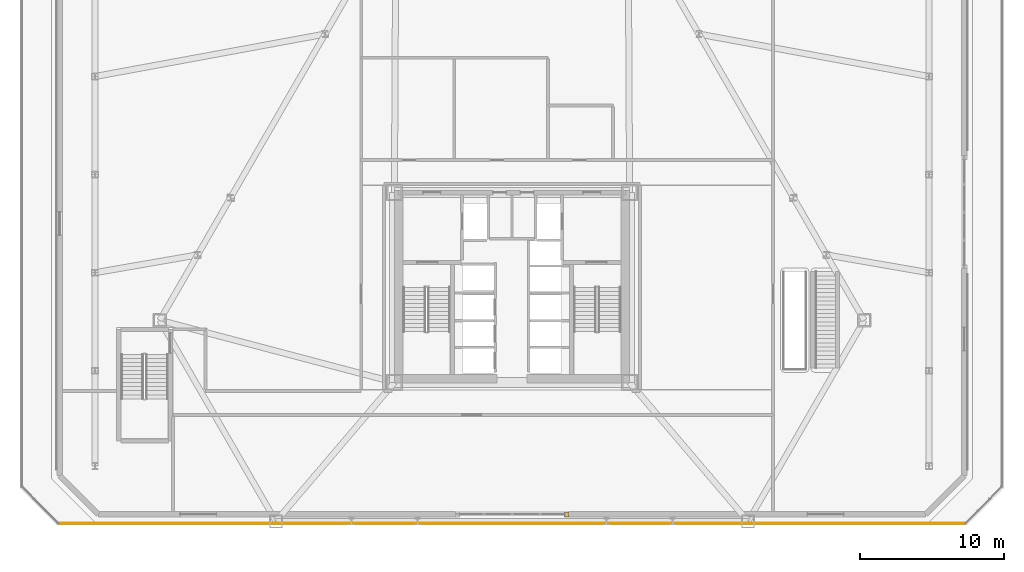
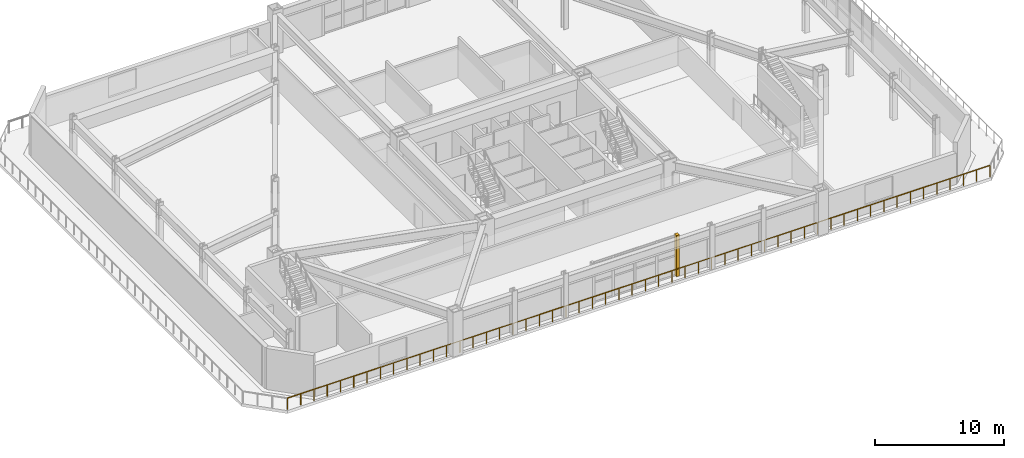
# One storey, part 19 of 22: 1 covering, 1 railing.
"""IFC4 building model written with IfcOpenShell, lengths in metres."""

import ifcopenshell
import ifcopenshell.guid

model = None  # the IFC model being written
_history = None  # IfcOwnerHistory: only IFC2X3 demands one
_inside = {}  # id of a spatial element -> (the spatial element, [elements in it])
_under = {}  # id of a project, library or spatial element -> (it, [spatial elements below it])
_declared = {}  # id of a project -> (the project, [libraries it declares])
_typed = {}  # id of a type object -> (the type object, [elements of that type])
_made_of = {}  # id of a material, layer set ... -> (it, [elements and type objects made of it])


def new_model(schema):
    """Start an empty IFC model of exactly this schema.

    Asked for "IFC4X3", IfcOpenShell would pick the latest addendum, in which some entities
    have other attributes; the version numbers below select the first issue.
    IFC2X3 requires an IfcOwnerHistory on every rooted entity: one is made here for all.
    """
    global model, _history
    if schema == "IFC4X3":
        model = ifcopenshell.file(schema_version=(4, 3, 0, 0))
    else:
        model = ifcopenshell.file(schema=schema)
    _inside.clear()
    _under.clear()
    _declared.clear()
    _typed.clear()
    _made_of.clear()
    _history = None
    if model.schema == "IFC2X3":
        org = make("IfcOrganization", Name="unknown")
        user = make(
            "IfcPersonAndOrganization",
            ThePerson=make("IfcPerson", FamilyName="unknown"),
            TheOrganization=org,
        )
        app = make(
            "IfcApplication",
            ApplicationDeveloper=org,
            Version="unknown",
            ApplicationFullName="unknown",
            ApplicationIdentifier="unknown",
        )
        _history = make(
            "IfcOwnerHistory",
            OwningUser=user,
            OwningApplication=app,
            ChangeAction="ADDED",
            CreationDate=0,
        )
    return model


def make(cls, **values):
    """One entity of the class cls with the attributes given. An attribute that is None is left unset."""
    return model.create_entity(
        cls, **{name: value for name, value in values.items() if value is not None}
    )


def rooted(cls, **values):
    """An entity with a GlobalId (a new one), such as an element, a storey or a relation."""
    return make(cls, GlobalId=ifcopenshell.guid.new(), OwnerHistory=_history, **values)


def si_unit(unit_type, name, prefix=None):
    """IfcSIUnit, for example si_unit("LENGTHUNIT", "METRE", prefix="MILLI")."""
    return make("IfcSIUnit", UnitType=unit_type, Prefix=prefix, Name=name)


def assignment(units):
    """IfcUnitAssignment: the units of a project."""
    return None if units is None else make("IfcUnitAssignment", Units=units)


def point(xyz):
    """IfcCartesianPoint."""
    return None if xyz is None else make("IfcCartesianPoint", Coordinates=xyz)


def direction(xyz):
    """IfcDirection."""
    return None if xyz is None else make("IfcDirection", DirectionRatios=xyz)


def frame(location, z_axis=None, x_axis=None):
    """IfcAxis2Placement3D, a coordinate frame: its origin and axes. An axis left out is left unset."""
    return make(
        "IfcAxis2Placement3D",
        Location=point(location),
        Axis=direction(z_axis),
        RefDirection=direction(x_axis),
    )


def frame_2d(location, x_axis=None):
    """IfcAxis2Placement2D, a coordinate frame in the plane: its origin and x axis."""
    return make(
        "IfcAxis2Placement2D", Location=point(location), RefDirection=direction(x_axis)
    )


def origin():
    """The frame at (0, 0, 0) with its axes left unset."""
    return frame((0.0, 0.0, 0.0))


def origin_2d():
    """The frame at (0, 0) in the plane with its x axis left unset."""
    return frame_2d((0.0, 0.0))


def place(relative_to, where):
    """IfcLocalPlacement: puts the frame where relative to a parent placement (None: the world)."""
    return make(
        "IfcLocalPlacement", PlacementRelTo=relative_to, RelativePlacement=where
    )


def context(
    kind, dimensions, precision=None, world=None, true_north=None, identifier=None
):
    """IfcGeometricRepresentationContext, for example the 3D "Model" context."""
    return make(
        "IfcGeometricRepresentationContext",
        ContextIdentifier=identifier,
        ContextType=kind,
        CoordinateSpaceDimension=dimensions,
        Precision=precision,
        WorldCoordinateSystem=world,
        TrueNorth=true_north,
    )


def subcontext(parent, identifier, kind, view, scale=None):
    """IfcGeometricRepresentationSubContext, for example "Body" below "Model"."""
    return make(
        "IfcGeometricRepresentationSubContext",
        ContextIdentifier=identifier,
        ContextType=kind,
        ParentContext=parent,
        TargetScale=scale,
        TargetView=view,
    )


def project(units=None, contexts=None):
    """IfcProject with its units and contexts."""
    return rooted(
        "IfcProject",
        Name="project",
        RepresentationContexts=contexts,
        UnitsInContext=assignment(units),
    )


def spatial(cls, under=None, at=None, **own):
    """A site, building, storey or space (cls), placed at a placement, below another one or the project."""
    s = rooted(cls, ObjectPlacement=at, **own)
    if under is not None:
        _under.setdefault(under.id(), (under, []))[1].append(s)
    return s


def profile(cls, at=None, kind="AREA", **sizes):
    """A parametric profile (cls). Its sizes go by their IFC names, for example OverallWidth=200.0."""
    return make(cls, ProfileType=kind, Position=at, **sizes)


def rectangle(**sizes):
    """IfcRectangleProfileDef."""
    return profile("IfcRectangleProfileDef", **sizes)


def circle(**sizes):
    """IfcCircleProfileDef."""
    return profile("IfcCircleProfileDef", **sizes)


def extrude(swept, where, along, depth):
    """IfcExtrudedAreaSolid: the profile swept, set in the frame where, extruded along a direction by depth."""
    return make(
        "IfcExtrudedAreaSolid",
        SweptArea=swept,
        Position=where,
        ExtrudedDirection=direction(along),
        Depth=depth,
    )


def shape(context_of_items, identifier, shape_type, items):
    """IfcShapeRepresentation: the items that make up one representation, for example the "Body"."""
    return make(
        "IfcShapeRepresentation",
        ContextOfItems=context_of_items,
        RepresentationIdentifier=identifier,
        RepresentationType=shape_type,
        Items=items,
    )


def material(Name=None, Category=None):
    """IfcMaterial."""
    return make("IfcMaterial", Name=Name, Category=Category)


def layer(
    of_material, thickness, ventilated=None, Name=None, Category=None, Priority=None
):
    """IfcMaterialLayer: one layer of a wall or slab, of a material (None: an air gap)."""
    return make(
        "IfcMaterialLayer",
        Material=of_material,
        LayerThickness=thickness,
        IsVentilated=ventilated,
        Name=Name,
        Category=Category,
        Priority=Priority,
    )


def layer_set(layers, Name=None):
    """IfcMaterialLayerSet."""
    return make("IfcMaterialLayerSet", MaterialLayers=layers, LayerSetName=Name)


def made_of(thing, what):
    """Note that an element or type object is made of a material, layer set ...; save() writes the relation."""
    if what is not None:
        _made_of.setdefault(what.id(), (what, []))[1].append(thing)
    return thing


def type_object(cls, material=None, **own):
    """A type object (cls), such as IfcWallType, which elements share."""
    return made_of(rooted(cls, **own), material)


def element(
    cls,
    number,
    at=None,
    inside=None,
    cuts=None,
    type_object=None,
    material=None,
    context=None,
    identifier="Body",
    shape_type=None,
    held_by="IfcProductDefinitionShape",
    body=None,
    shapes=None,
    **own,
):
    """One element of the class cls, such as IfcWall. Its Tag is "e" and its number.

    at: its placement. inside: the storey or other place that contains it. cuts: it is an
    opening in that element (IfcRelVoidsElement). A single representation is given by context,
    identifier, shape_type and body (its items); several are given by shapes. held_by: the class
    of the entity that holds the representations. save() writes the other relations.
    """
    e = rooted(cls, Tag="e%d" % number, ObjectPlacement=at, **own)
    if body is not None:
        shapes = [shape(context, identifier, shape_type, body)]
    if shapes is not None:
        e.Representation = make(held_by, Representations=shapes)
    if inside is not None:
        _inside.setdefault(inside.id(), (inside, []))[1].append(e)
    if cuts is not None:
        rooted(
            "IfcRelVoidsElement", RelatingBuildingElement=cuts, RelatedOpeningElement=e
        )
    if type_object is not None:
        _typed.setdefault(type_object.id(), (type_object, []))[1].append(e)
    return made_of(e, material)


def aggregate(whole, parts):
    """IfcRelAggregates: a whole, such as a stair, and the parts it consists of."""
    return rooted("IfcRelAggregates", RelatingObject=whole, RelatedObjects=parts)


def save(model, path):
    """Write the relations noted so far, then the file.

    IfcRelAggregates (storeys below a building ...), IfcRelContainedInSpatialStructure (elements
    in a storey), IfcRelDefinesByType, IfcRelAssociatesMaterial and IfcRelDeclares: one each for
    every whole, place, type object, material and project.
    """
    for whole, parts in _under.values():
        aggregate(whole, parts)
    for where, things in _inside.values():
        rooted(
            "IfcRelContainedInSpatialStructure",
            RelatedElements=things,
            RelatingStructure=where,
        )
    for kind, things in _typed.values():
        rooted("IfcRelDefinesByType", RelatedObjects=things, RelatingType=kind)
    for what, things in _made_of.values():
        rooted("IfcRelAssociatesMaterial", RelatedObjects=things, RelatingMaterial=what)
    for by, libraries in _declared.values():
        rooted("IfcRelDeclares", RelatingContext=by, RelatedDefinitions=libraries)
    model.write(path)


model = new_model("IFC4")

# Units and contexts
model_context = context("Model", 3, precision=1e-05, world=origin(), true_north=direction((0.0, 1.0)))
body_context = subcontext(model_context, "Body", "Model", "MODEL_VIEW")
ifc_project = project(units=[si_unit("LENGTHUNIT", "METRE"), si_unit("AREAUNIT", "SQUARE_METRE"), si_unit("VOLUMEUNIT", "CUBIC_METRE"), si_unit("PLANEANGLEUNIT", "RADIAN"), si_unit("MASSUNIT", "GRAM", prefix="KILO")], contexts=[model_context])

# Site, building, storey
site_placement = place(None, origin())
site = spatial("IfcSite", under=ifc_project, at=site_placement, CompositionType="ELEMENT")
building_placement = place(site_placement, origin())
building = spatial("IfcBuilding", under=site, at=building_placement, Name="Oramaril Tower", CompositionType="ELEMENT")
storey_placement = place(building_placement, frame((0.0, 0.0, 18.300048828125)))
storey = spatial("IfcBuildingStorey", under=building, at=storey_placement, Name="L04", CompositionType="ELEMENT", Elevation=18.300048828125)

# Covering
ifc_material_1 = material(Name="Warm Cream Limestone", Category="masonry")
ifc_layer = layer(ifc_material_1, 0.050048828125)
ifc_layer_set = layer_set([ifc_layer], Name="CVT-CLD")
covering_type = type_object("IfcCoveringType", Name="CVT-CLD", PredefinedType="CLADDING", material=ifc_layer_set)
covering_placement = place(storey_placement, frame((41.280029296875, 1.85009765625, 0.0), z_axis=(0.0, 0.0, 1.0), x_axis=(1.0, 0.0, 0.0)))
element("IfcCovering", 1, at=covering_placement, inside=storey, type_object=covering_type, Name="L04 Curtain Wall Limestone Jamb Closure", PredefinedType="CLADDING", context=body_context, shape_type="SweptSolid", body=[
    extrude(rectangle(XDim=0.260009765625, YDim=0.340087890625, at=origin_2d()), origin(), (0.0, 0.0, 1.0), 3.8798828125),
])

# Railing
ifc_material_2 = material(Name="Stainless Steel 316L", Category="steel")
railing_type = type_object("IfcRailingType", Name="RLT-GRD", PredefinedType="GUARDRAIL", material=ifc_material_2)
railing_placement = place(storey_placement, frame((6.087890625, 1.239990234375, 0.0)))
element("IfcRailing", 2, at=railing_placement, inside=storey, type_object=railing_type, Name="L04 Podium Terrace Guardrail 01", PredefinedType="GUARDRAIL", context=body_context, shape_type="SweptSolid", body=[
    extrude(circle(Radius=0.02392578125, at=origin_2d()), frame((0.0, 0.0, 1.076171875), z_axis=(1.0, 0.0, 0.0), x_axis=(0.0, 1.0, 0.0)), (0.0, 0.0, 1.0), 62.82421875),
    extrude(circle(Radius=0.02099609375, at=origin_2d()), origin(), (0.0, 0.0, 1.0), 1.052001953125),
    extrude(circle(Radius=0.02099609375, at=origin_2d()), frame((1.185302734375, 0.0, 0.0)), (0.0, 0.0, 1.0), 1.052001953125),
    extrude(circle(Radius=0.02099609375, at=origin_2d()), frame((2.37060546875, 0.0, 0.0)), (0.0, 0.0, 1.0), 1.052001953125),
    extrude(circle(Radius=0.02099609375, at=origin_2d()), frame((3.55615234375, 0.0, 0.0)), (0.0, 0.0, 1.0), 1.052001953125),
    extrude(circle(Radius=0.02099609375, at=origin_2d()), frame((4.741455078125, 0.0, 0.0)), (0.0, 0.0, 1.0), 1.052001953125),
    extrude(circle(Radius=0.02099609375, at=origin_2d()), frame((5.9267578125, 0.0, 0.0)), (0.0, 0.0, 1.0), 1.052001953125),
    extrude(circle(Radius=0.02099609375, at=origin_2d()), frame((7.112060546875, 0.0, 0.0)), (0.0, 0.0, 1.0), 1.052001953125),
    extrude(circle(Radius=0.02099609375, at=origin_2d()), frame((8.297607421875, 0.0, 0.0)), (0.0, 0.0, 1.0), 1.052001953125),
    extrude(circle(Radius=0.02099609375, at=origin_2d()), frame((9.48291015625, 0.0, 0.0)), (0.0, 0.0, 1.0), 1.052001953125),
    extrude(circle(Radius=0.02099609375, at=origin_2d()), frame((10.668212890625, 0.0, 0.0)), (0.0, 0.0, 1.0), 1.052001953125),
    extrude(circle(Radius=0.02099609375, at=origin_2d()), frame((11.853515625, 0.0, 0.0)), (0.0, 0.0, 1.0), 1.052001953125),
    extrude(circle(Radius=0.02099609375, at=origin_2d()), frame((13.0390625, 0.0, 0.0)), (0.0, 0.0, 1.0), 1.052001953125),
    extrude(circle(Radius=0.02099609375, at=origin_2d()), frame((14.224365234375, 0.0, 0.0)), (0.0, 0.0, 1.0), 1.052001953125),
    extrude(circle(Radius=0.02099609375, at=origin_2d()), frame((15.40966796875, 0.0, 0.0)), (0.0, 0.0, 1.0), 1.052001953125),
    extrude(circle(Radius=0.02099609375, at=origin_2d()), frame((16.594970703125, 0.0, 0.0)), (0.0, 0.0, 1.0), 1.052001953125),
    extrude(circle(Radius=0.02099609375, at=origin_2d()), frame((17.780517578125, 0.0, 0.0)), (0.0, 0.0, 1.0), 1.052001953125),
    extrude(circle(Radius=0.02099609375, at=origin_2d()), frame((18.9658203125, 0.0, 0.0)), (0.0, 0.0, 1.0), 1.052001953125),
    extrude(circle(Radius=0.02099609375, at=origin_2d()), frame((20.151123046875, 0.0, 0.0)), (0.0, 0.0, 1.0), 1.052001953125),
    extrude(circle(Radius=0.02099609375, at=origin_2d()), frame((21.33642578125, 0.0, 0.0)), (0.0, 0.0, 1.0), 1.052001953125),
    extrude(circle(Radius=0.02099609375, at=origin_2d()), frame((22.52197265625, 0.0, 0.0)), (0.0, 0.0, 1.0), 1.052001953125),
    extrude(circle(Radius=0.02099609375, at=origin_2d()), frame((23.707275390625, 0.0, 0.0)), (0.0, 0.0, 1.0), 1.052001953125),
    extrude(circle(Radius=0.02099609375, at=origin_2d()), frame((24.892578125, 0.0, 0.0)), (0.0, 0.0, 1.0), 1.052001953125),
    extrude(circle(Radius=0.02099609375, at=origin_2d()), frame((26.077880859375, 0.0, 0.0)), (0.0, 0.0, 1.0), 1.052001953125),
    extrude(circle(Radius=0.02099609375, at=origin_2d()), frame((27.263427734375, 0.0, 0.0)), (0.0, 0.0, 1.0), 1.052001953125),
    extrude(circle(Radius=0.02099609375, at=origin_2d()), frame((28.44873046875, 0.0, 0.0)), (0.0, 0.0, 1.0), 1.052001953125),
    extrude(circle(Radius=0.02099609375, at=origin_2d()), frame((29.634033203125, 0.0, 0.0)), (0.0, 0.0, 1.0), 1.052001953125),
    extrude(circle(Radius=0.02099609375, at=origin_2d()), frame((30.8193359375, 0.0, 0.0)), (0.0, 0.0, 1.0), 1.052001953125),
    extrude(circle(Radius=0.02099609375, at=origin_2d()), frame((32.0048828125, 0.0, 0.0)), (0.0, 0.0, 1.0), 1.052001953125),
    extrude(circle(Radius=0.02099609375, at=origin_2d()), frame((33.190185546875, 0.0, 0.0)), (0.0, 0.0, 1.0), 1.052001953125),
    extrude(circle(Radius=0.02099609375, at=origin_2d()), frame((34.37548828125, 0.0, 0.0)), (0.0, 0.0, 1.0), 1.052001953125),
    extrude(circle(Radius=0.02099609375, at=origin_2d()), frame((35.560791015625, 0.0, 0.0)), (0.0, 0.0, 1.0), 1.052001953125),
    extrude(circle(Radius=0.02099609375, at=origin_2d()), frame((36.746337890625, 0.0, 0.0)), (0.0, 0.0, 1.0), 1.052001953125),
    extrude(circle(Radius=0.02099609375, at=origin_2d()), frame((37.931640625, 0.0, 0.0)), (0.0, 0.0, 1.0), 1.052001953125),
    extrude(circle(Radius=0.02099609375, at=origin_2d()), frame((39.116943359375, 0.0, 0.0)), (0.0, 0.0, 1.0), 1.052001953125),
    extrude(circle(Radius=0.02099609375, at=origin_2d()), frame((40.30224609375, 0.0, 0.0)), (0.0, 0.0, 1.0), 1.052001953125),
    extrude(circle(Radius=0.02099609375, at=origin_2d()), frame((41.48779296875, 0.0, 0.0)), (0.0, 0.0, 1.0), 1.052001953125),
    extrude(circle(Radius=0.02099609375, at=origin_2d()), frame((42.673095703125, 0.0, 0.0)), (0.0, 0.0, 1.0), 1.052001953125),
    extrude(circle(Radius=0.02099609375, at=origin_2d()), frame((43.8583984375, 0.0, 0.0)), (0.0, 0.0, 1.0), 1.052001953125),
    extrude(circle(Radius=0.02099609375, at=origin_2d()), frame((45.043701171875, 0.0, 0.0)), (0.0, 0.0, 1.0), 1.052001953125),
    extrude(circle(Radius=0.02099609375, at=origin_2d()), frame((46.229248046875, 0.0, 0.0)), (0.0, 0.0, 1.0), 1.052001953125),
    extrude(circle(Radius=0.02099609375, at=origin_2d()), frame((47.41455078125, 0.0, 0.0)), (0.0, 0.0, 1.0), 1.052001953125),
    extrude(circle(Radius=0.02099609375, at=origin_2d()), frame((48.599853515625, 0.0, 0.0)), (0.0, 0.0, 1.0), 1.052001953125),
    extrude(circle(Radius=0.02099609375, at=origin_2d()), frame((49.78515625, 0.0, 0.0)), (0.0, 0.0, 1.0), 1.052001953125),
    extrude(circle(Radius=0.02099609375, at=origin_2d()), frame((50.970703125, 0.0, 0.0)), (0.0, 0.0, 1.0), 1.052001953125),
    extrude(circle(Radius=0.02099609375, at=origin_2d()), frame((52.156005859375, 0.0, 0.0)), (0.0, 0.0, 1.0), 1.052001953125),
    extrude(circle(Radius=0.02099609375, at=origin_2d()), frame((53.34130859375, 0.0, 0.0)), (0.0, 0.0, 1.0), 1.052001953125),
    extrude(circle(Radius=0.02099609375, at=origin_2d()), frame((54.526611328125, 0.0, 0.0)), (0.0, 0.0, 1.0), 1.052001953125),
    extrude(circle(Radius=0.02099609375, at=origin_2d()), frame((55.712158203125, 0.0, 0.0)), (0.0, 0.0, 1.0), 1.052001953125),
    extrude(circle(Radius=0.02099609375, at=origin_2d()), frame((56.8974609375, 0.0, 0.0)), (0.0, 0.0, 1.0), 1.052001953125),
    extrude(circle(Radius=0.02099609375, at=origin_2d()), frame((58.082763671875, 0.0, 0.0)), (0.0, 0.0, 1.0), 1.052001953125),
    extrude(circle(Radius=0.02099609375, at=origin_2d()), frame((59.26806640625, 0.0, 0.0)), (0.0, 0.0, 1.0), 1.052001953125),
    extrude(circle(Radius=0.02099609375, at=origin_2d()), frame((60.45361328125, 0.0, 0.0)), (0.0, 0.0, 1.0), 1.052001953125),
    extrude(circle(Radius=0.02099609375, at=origin_2d()), frame((61.638916015625, 0.0, 0.0)), (0.0, 0.0, 1.0), 1.052001953125),
    extrude(circle(Radius=0.02099609375, at=origin_2d()), frame((62.82421875, 0.0, 0.0)), (0.0, 0.0, 1.0), 1.052001953125),
])

save(model, "model.ifc")
